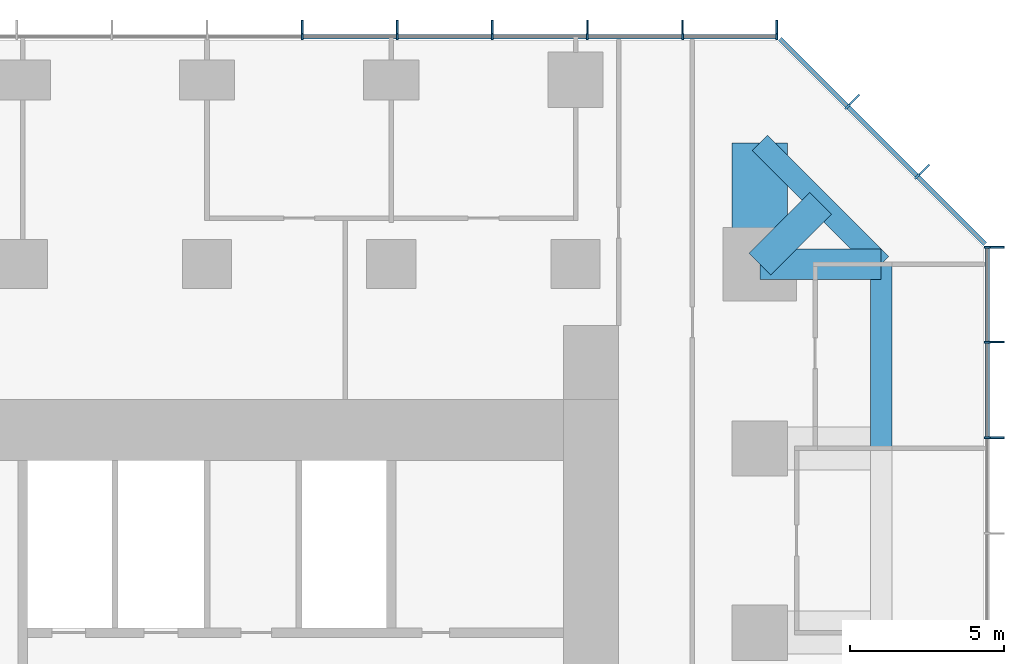
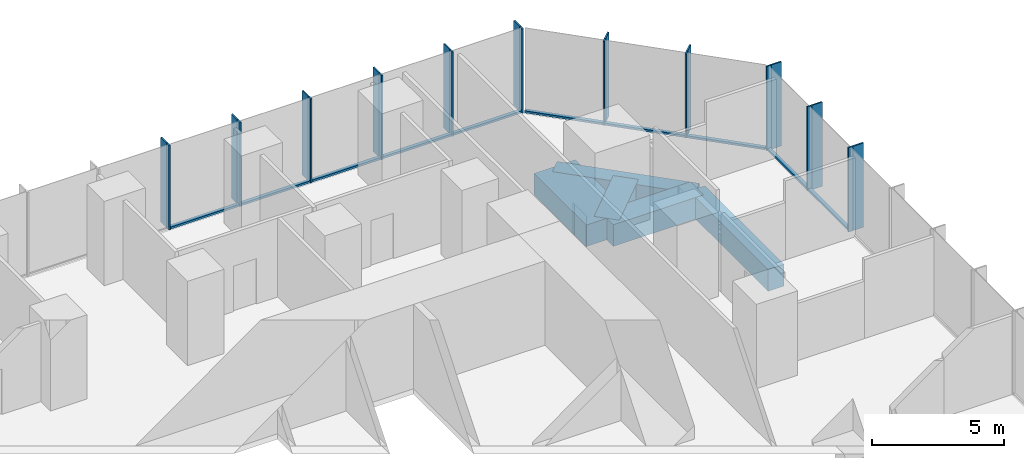
# One storey, part 6 of 11: 32 members, 5 beams, 3 elements without a shape of their own.
"""IFC4 building model written with IfcOpenShell, lengths in metres."""

from ifc_helpers import new_model, si_unit, direction, frame, origin, origin_2d, place, context, subcontext, project, spatial, rectangle, extrude, material, layer, layer_set, material_profile, profile_set, type_object, element, aggregate, save


model = new_model("IFC4")

# Units and contexts
model_context = context("Model", 3, precision=1e-05, world=origin(), true_north=direction((0.0, 1.0)))
body_context = subcontext(model_context, "Body", "Model", "MODEL_VIEW")
ifc_project = project(units=[si_unit("LENGTHUNIT", "METRE"), si_unit("AREAUNIT", "SQUARE_METRE"), si_unit("VOLUMEUNIT", "CUBIC_METRE"), si_unit("PLANEANGLEUNIT", "RADIAN"), si_unit("MASSUNIT", "GRAM", prefix="KILO")], contexts=[model_context])

# Site, building, storey
site_placement = place(None, origin())
site = spatial("IfcSite", under=ifc_project, at=site_placement, CompositionType="ELEMENT")
building_placement = place(site_placement, origin())
building = spatial("IfcBuilding", under=site, at=building_placement, Name="Highveld Stack Headquarters", CompositionType="ELEMENT")
storey_placement = place(building_placement, frame((0.0, 0.0, 140.60009765625)))
storey = spatial("IfcBuildingStorey", under=building, at=storey_placement, Name="L34", CompositionType="ELEMENT", Elevation=140.60009765625)

# Beams
ifc_material_1 = material(Name="Concrete C60/75", Category="concrete")
ifc_material_profile_1 = material_profile(ifc_material_1, rectangle(XDim=1.0, YDim=1.0, at=origin_2d()), Name="RC 1000x1000")
ifc_profile_set_1 = profile_set([ifc_material_profile_1], Name="Concrete C60/75")
beam_type_1 = type_object("IfcBeamType", Name="CANTILEVER RIB RC 1000x1000", PredefinedType="USERDEFINED", material=ifc_profile_set_1)
beam_1_placement = place(storey_placement, frame((24.0, 18.0, -0.75), z_axis=(1.0, 0.0, 0.0), x_axis=(0.0, 1.0, 0.0)))
element("IfcBeam", 1, at=beam_1_placement, inside=storey, type_object=beam_type_1, Name="Cantilever rib 10/H L34", ObjectType="CANTILEVER RIB", PredefinedType="USERDEFINED", context=body_context, shape_type="SweptSolid", body=[
    extrude(rectangle(XDim=1.0, YDim=1.0, at=origin_2d()), origin(), (0.0, 0.0, 1.0), 3.949951171875),
])
beam_2_placement = place(storey_placement, frame((24.0, 18.0, -0.75), z_axis=(0.707106781187, 0.707106781187, 0.0), x_axis=(-0.707106781187, 0.707106781187, 0.0)))
element("IfcBeam", 2, at=beam_2_placement, inside=storey, type_object=beam_type_1, Name="Cantilever rib 10/H L34", ObjectType="CANTILEVER RIB", PredefinedType="USERDEFINED", context=body_context, shape_type="SweptSolid", body=[
    extrude(rectangle(XDim=1.0, YDim=1.0, at=origin_2d()), origin(), (0.0, 0.0, 1.0), 2.793212890625),
])
ifc_material_2 = material(Name="Concrete C60/75", Category="concrete")
ifc_material_profile_2 = material_profile(ifc_material_2, rectangle(XDim=1.800048828125, YDim=1.0, at=origin_2d()), Name="RC 1800x1000")
ifc_profile_set_2 = profile_set([ifc_material_profile_2], Name="Concrete C60/75")
beam_type_2 = type_object("IfcBeamType", Name="CANTILEVER RIB RC 1800x1000", PredefinedType="USERDEFINED", material=ifc_profile_set_2)
beam_3_placement = place(storey_placement, frame((24.0, 18.0, -0.75), z_axis=(0.0, 1.0, 0.0), x_axis=(-1.0, 0.0, 0.0)))
element("IfcBeam", 3, at=beam_3_placement, inside=storey, type_object=beam_type_2, Name="Cantilever rib 10/H L34", ObjectType="CANTILEVER RIB", PredefinedType="USERDEFINED", context=body_context, shape_type="SweptSolid", body=[
    extrude(rectangle(XDim=1.800048828125, YDim=1.0, at=origin_2d()), origin(), (0.0, 0.0, 1.0), 3.949951171875),
])

# Curtain wall, members
ifc_material_3 = material(Name="Aluminium bronze anodised", Category="aluminium")
ifc_layer_1 = layer(ifc_material_3, 0.199951171875)
ifc_layer_set_1 = layer_set([ifc_layer_1], Name="Aluminium bronze anodised")
curtain_wall_type_1 = type_object("IfcCurtainWallType", Name="CW1 TOWER UNITISED CURTAIN WALL", PredefinedType="NOTDEFINED", material=ifc_layer_set_1)
curtain_wall_1_placement = place(storey_placement, origin())
curtain_wall_1 = element("IfcCurtainWall", 4, at=curtain_wall_1_placement, inside=storey, type_object=curtain_wall_type_1, Name="Curtain wall CW1 L34 E", PredefinedType="NOTDEFINED")
ifc_material_4 = material(Name="Aluminium bronze anodised", Category="aluminium")
ifc_material_profile_3 = material_profile(ifc_material_4, rectangle(XDim=0.449951171875, YDim=0.06005859375, at=origin_2d()), Name="FIN 450x60")
ifc_profile_set_3 = profile_set([ifc_material_profile_3], Name="Aluminium bronze anodised")
member_type_1 = type_object("IfcMemberType", Name="CW1 BRONZE FIN 450x60", PredefinedType="USERDEFINED", material=ifc_profile_set_3)
member_1_placement = place(storey_placement, frame((31.72509765625, 12.347900390625, 0.0), z_axis=(0.0, 0.0, 1.0), x_axis=(-1.0, 0.0, 0.0)))
member_1 = element("IfcMember", 5, at=member_1_placement, type_object=member_type_1, Name="CW1 fin L34 9", ObjectType="FIN", PredefinedType="USERDEFINED", context=body_context, shape_type="SweptSolid", body=[
    extrude(rectangle(XDim=0.449951171875, YDim=0.06005859375, at=origin_2d()), origin(), (0.0, 0.0, 1.0), 3.89990234375),
])
member_2_placement = place(storey_placement, frame((31.72509765625, 15.4638671875, 0.0), z_axis=(0.0, 0.0, 1.0), x_axis=(-1.0, 0.0, 0.0)))
member_2 = element("IfcMember", 6, at=member_2_placement, type_object=member_type_1, Name="CW1 fin L34 10", ObjectType="FIN", PredefinedType="USERDEFINED", context=body_context, shape_type="SweptSolid", body=[
    extrude(rectangle(XDim=0.449951171875, YDim=0.06005859375, at=origin_2d()), origin(), (0.0, 0.0, 1.0), 3.89990234375),
])
member_3_placement = place(storey_placement, frame((31.72509765625, 18.54736328125, 0.0), z_axis=(0.0, 0.0, 1.0), x_axis=(-1.0, 0.0, 0.0)))
member_3 = element("IfcMember", 7, at=member_3_placement, type_object=member_type_1, Name="CW1 fin L34 11", ObjectType="FIN", PredefinedType="USERDEFINED", context=body_context, shape_type="SweptSolid", body=[
    extrude(rectangle(XDim=0.449951171875, YDim=0.06005859375, at=origin_2d()), origin(), (0.0, 0.0, 1.0), 3.89990234375),
])

curtain_wall_2_placement = place(storey_placement, origin())
curtain_wall_2 = element("IfcCurtainWall", 8, at=curtain_wall_2_placement, inside=storey, type_object=curtain_wall_type_1, Name="Curtain wall CW1 L34 N", PredefinedType="NOTDEFINED")
member_4_placement = place(storey_placement, frame((24.54736328125, 25.72509765625, 0.0), z_axis=(0.0, 0.0, 1.0), x_axis=(0.0, -1.0, 0.0)))
member_4 = element("IfcMember", 9, at=member_4_placement, type_object=member_type_1, Name="CW1 fin L34 1", ObjectType="FIN", PredefinedType="USERDEFINED", context=body_context, shape_type="SweptSolid", body=[
    extrude(rectangle(XDim=0.449951171875, YDim=0.06005859375, at=origin_2d()), origin(), (0.0, 0.0, 1.0), 3.89990234375),
])
member_5_placement = place(storey_placement, frame((21.483154296875, 25.72509765625, 0.0), z_axis=(0.0, 0.0, 1.0), x_axis=(0.0, -1.0, 0.0)))
member_5 = element("IfcMember", 10, at=member_5_placement, type_object=member_type_1, Name="CW1 fin L34 2", ObjectType="FIN", PredefinedType="USERDEFINED", context=body_context, shape_type="SweptSolid", body=[
    extrude(rectangle(XDim=0.449951171875, YDim=0.06005859375, at=origin_2d()), origin(), (0.0, 0.0, 1.0), 3.89990234375),
])
member_6_placement = place(storey_placement, frame((18.38671875, 25.72509765625, 0.0), z_axis=(0.0, 0.0, 1.0), x_axis=(0.0, -1.0, 0.0)))
member_6 = element("IfcMember", 11, at=member_6_placement, type_object=member_type_1, Name="CW1 fin L34 3", ObjectType="FIN", PredefinedType="USERDEFINED", context=body_context, shape_type="SweptSolid", body=[
    extrude(rectangle(XDim=0.449951171875, YDim=0.06005859375, at=origin_2d()), origin(), (0.0, 0.0, 1.0), 3.89990234375),
])
member_7_placement = place(storey_placement, frame((15.289794921875, 25.72509765625, 0.0), z_axis=(0.0, 0.0, 1.0), x_axis=(0.0, -1.0, 0.0)))
member_7 = element("IfcMember", 12, at=member_7_placement, type_object=member_type_1, Name="CW1 fin L34 4", ObjectType="FIN", PredefinedType="USERDEFINED", context=body_context, shape_type="SweptSolid", body=[
    extrude(rectangle(XDim=0.449951171875, YDim=0.06005859375, at=origin_2d()), origin(), (0.0, 0.0, 1.0), 3.89990234375),
])
member_8_placement = place(storey_placement, frame((12.193359375, 25.72509765625, 0.0), z_axis=(0.0, 0.0, 1.0), x_axis=(0.0, -1.0, 0.0)))
member_8 = element("IfcMember", 13, at=member_8_placement, type_object=member_type_1, Name="CW1 fin L34 5", ObjectType="FIN", PredefinedType="USERDEFINED", context=body_context, shape_type="SweptSolid", body=[
    extrude(rectangle(XDim=0.449951171875, YDim=0.06005859375, at=origin_2d()), origin(), (0.0, 0.0, 1.0), 3.89990234375),
])
member_9_placement = place(storey_placement, frame((9.0966796875, 25.72509765625, 0.0), z_axis=(0.0, 0.0, 1.0), x_axis=(0.0, -1.0, 0.0)))
member_9 = element("IfcMember", 14, at=member_9_placement, type_object=member_type_1, Name="CW1 fin L34 6", ObjectType="FIN", PredefinedType="USERDEFINED", context=body_context, shape_type="SweptSolid", body=[
    extrude(rectangle(XDim=0.449951171875, YDim=0.06005859375, at=origin_2d()), origin(), (0.0, 0.0, 1.0), 3.89990234375),
])

# Member
ifc_material_5 = material(Name="Aluminium bronze anodised", Category="aluminium")
ifc_material_profile_4 = material_profile(ifc_material_5, rectangle(XDim=0.199951171875, YDim=0.06494140625, at=origin_2d()), Name="CW1 MULLION 65x200")
ifc_profile_set_4 = profile_set([ifc_material_profile_4], Name="Aluminium bronze anodised")
member_type_2 = type_object("IfcMemberType", Name="CW1 MULLION 65x200", PredefinedType="MULLION", material=ifc_profile_set_4)
member_10_placement = place(storey_placement, frame((31.39990234375, 12.347900390625, 0.0), z_axis=(0.0, 0.0, 1.0), x_axis=(-1.0, 0.0, 0.0)))
member_10 = element("IfcMember", 15, at=member_10_placement, type_object=member_type_2, Name="CW1 mullion L34 9", PredefinedType="MULLION", context=body_context, shape_type="SweptSolid", body=[
    extrude(rectangle(XDim=0.199951171875, YDim=0.06494140625, at=origin_2d()), origin(), (0.0, 0.0, 1.0), 3.89990234375),
])

member_11_placement = place(storey_placement, frame((31.39990234375, 15.4638671875, 0.0), z_axis=(0.0, 0.0, 1.0), x_axis=(-1.0, 0.0, 0.0)))
member_11 = element("IfcMember", 16, at=member_11_placement, type_object=member_type_2, Name="CW1 mullion L34 10", PredefinedType="MULLION", context=body_context, shape_type="SweptSolid", body=[
    extrude(rectangle(XDim=0.199951171875, YDim=0.06494140625, at=origin_2d()), origin(), (0.0, 0.0, 1.0), 3.89990234375),
])

member_12_placement = place(storey_placement, frame((31.39990234375, 18.54736328125, 0.0), z_axis=(0.0, 0.0, 1.0), x_axis=(-1.0, 0.0, 0.0)))
member_12 = element("IfcMember", 17, at=member_12_placement, type_object=member_type_2, Name="CW1 mullion L34 11", PredefinedType="MULLION", context=body_context, shape_type="SweptSolid", body=[
    extrude(rectangle(XDim=0.199951171875, YDim=0.06494140625, at=origin_2d()), origin(), (0.0, 0.0, 1.0), 3.89990234375),
])

member_13_placement = place(storey_placement, frame((24.54736328125, 25.39990234375, 0.0), z_axis=(0.0, 0.0, 1.0), x_axis=(0.0, -1.0, 0.0)))
member_13 = element("IfcMember", 18, at=member_13_placement, type_object=member_type_2, Name="CW1 mullion L34 1", PredefinedType="MULLION", context=body_context, shape_type="SweptSolid", body=[
    extrude(rectangle(XDim=0.199951171875, YDim=0.06494140625, at=origin_2d()), origin(), (0.0, 0.0, 1.0), 3.89990234375),
])

member_14_placement = place(storey_placement, frame((21.483154296875, 25.39990234375, 0.0), z_axis=(0.0, 0.0, 1.0), x_axis=(0.0, -1.0, 0.0)))
member_14 = element("IfcMember", 19, at=member_14_placement, type_object=member_type_2, Name="CW1 mullion L34 2", PredefinedType="MULLION", context=body_context, shape_type="SweptSolid", body=[
    extrude(rectangle(XDim=0.199951171875, YDim=0.06494140625, at=origin_2d()), origin(), (0.0, 0.0, 1.0), 3.89990234375),
])

member_15_placement = place(storey_placement, frame((18.38671875, 25.39990234375, 0.0), z_axis=(0.0, 0.0, 1.0), x_axis=(0.0, -1.0, 0.0)))
member_15 = element("IfcMember", 20, at=member_15_placement, type_object=member_type_2, Name="CW1 mullion L34 3", PredefinedType="MULLION", context=body_context, shape_type="SweptSolid", body=[
    extrude(rectangle(XDim=0.199951171875, YDim=0.06494140625, at=origin_2d()), origin(), (0.0, 0.0, 1.0), 3.89990234375),
])

member_16_placement = place(storey_placement, frame((15.289794921875, 25.39990234375, 0.0), z_axis=(0.0, 0.0, 1.0), x_axis=(0.0, -1.0, 0.0)))
member_16 = element("IfcMember", 21, at=member_16_placement, type_object=member_type_2, Name="CW1 mullion L34 4", PredefinedType="MULLION", context=body_context, shape_type="SweptSolid", body=[
    extrude(rectangle(XDim=0.199951171875, YDim=0.06494140625, at=origin_2d()), origin(), (0.0, 0.0, 1.0), 3.89990234375),
])

member_17_placement = place(storey_placement, frame((12.193359375, 25.39990234375, 0.0), z_axis=(0.0, 0.0, 1.0), x_axis=(0.0, -1.0, 0.0)))
member_17 = element("IfcMember", 22, at=member_17_placement, type_object=member_type_2, Name="CW1 mullion L34 5", PredefinedType="MULLION", context=body_context, shape_type="SweptSolid", body=[
    extrude(rectangle(XDim=0.199951171875, YDim=0.06494140625, at=origin_2d()), origin(), (0.0, 0.0, 1.0), 3.89990234375),
])

member_18_placement = place(storey_placement, frame((9.0966796875, 25.39990234375, 0.0), z_axis=(0.0, 0.0, 1.0), x_axis=(0.0, -1.0, 0.0)))
member_18 = element("IfcMember", 23, at=member_18_placement, type_object=member_type_2, Name="CW1 mullion L34 6", PredefinedType="MULLION", context=body_context, shape_type="SweptSolid", body=[
    extrude(rectangle(XDim=0.199951171875, YDim=0.06494140625, at=origin_2d()), origin(), (0.0, 0.0, 1.0), 3.89990234375),
])

ifc_material_6 = material(Name="Aluminium bronze anodised", Category="aluminium")
ifc_material_profile_5 = material_profile(ifc_material_6, rectangle(XDim=0.14990234375, YDim=0.10009765625, at=origin_2d()), Name="CW1 TRANSOM 150x100")
ifc_profile_set_5 = profile_set([ifc_material_profile_5], Name="Aluminium bronze anodised")
member_type_3 = type_object("IfcMemberType", Name="CW1 STACK TRANSOM 150x100", PredefinedType="USERDEFINED", material=ifc_profile_set_5)
member_19_placement = place(storey_placement, frame((31.39990234375, 12.38037109375, 0.0498046875), z_axis=(0.0, 1.0, 0.0), x_axis=(-1.0, 0.0, 0.0)))
member_19 = element("IfcMember", 24, at=member_19_placement, type_object=member_type_3, Name="CW1 transom L34 9.1", ObjectType="TRANSOM", PredefinedType="USERDEFINED", context=body_context, shape_type="SweptSolid", body=[
    extrude(rectangle(XDim=0.14990234375, YDim=0.10009765625, at=origin_2d()), origin(), (0.0, 0.0, 1.0), 3.051025390625),
])

member_20_placement = place(storey_placement, frame((31.39990234375, 15.496337890625, 0.0498046875), z_axis=(0.0, 1.0, 0.0), x_axis=(-1.0, 0.0, 0.0)))
member_20 = element("IfcMember", 25, at=member_20_placement, type_object=member_type_3, Name="CW1 transom L34 10.1", ObjectType="TRANSOM", PredefinedType="USERDEFINED", context=body_context, shape_type="SweptSolid", body=[
    extrude(rectangle(XDim=0.14990234375, YDim=0.10009765625, at=origin_2d()), origin(), (0.0, 0.0, 1.0), 3.0185546875),
])

aggregate(curtain_wall_1, [member_10, member_1, member_11, member_2, member_12, member_3, member_19, member_20])

member_21_placement = place(storey_placement, frame((24.514892578125, 25.39990234375, 0.0498046875), z_axis=(-1.0, 0.0, 0.0), x_axis=(0.0, -1.0, 0.0)))
member_21 = element("IfcMember", 26, at=member_21_placement, type_object=member_type_3, Name="CW1 transom L34 1.1", ObjectType="TRANSOM", PredefinedType="USERDEFINED", context=body_context, shape_type="SweptSolid", body=[
    extrude(rectangle(XDim=0.14990234375, YDim=0.10009765625, at=origin_2d()), origin(), (0.0, 0.0, 1.0), 2.999267578125),
])

member_22_placement = place(storey_placement, frame((21.45068359375, 25.39990234375, 0.0498046875), z_axis=(-1.0, 0.0, 0.0), x_axis=(0.0, -1.0, 0.0)))
member_22 = element("IfcMember", 27, at=member_22_placement, type_object=member_type_3, Name="CW1 transom L34 2.1", ObjectType="TRANSOM", PredefinedType="USERDEFINED", context=body_context, shape_type="SweptSolid", body=[
    extrude(rectangle(XDim=0.14990234375, YDim=0.10009765625, at=origin_2d()), origin(), (0.0, 0.0, 1.0), 3.031494140625),
])

member_23_placement = place(storey_placement, frame((18.35400390625, 25.39990234375, 0.0498046875), z_axis=(-1.0, 0.0, 0.0), x_axis=(0.0, -1.0, 0.0)))
member_23 = element("IfcMember", 28, at=member_23_placement, type_object=member_type_3, Name="CW1 transom L34 3.1", ObjectType="TRANSOM", PredefinedType="USERDEFINED", context=body_context, shape_type="SweptSolid", body=[
    extrude(rectangle(XDim=0.14990234375, YDim=0.10009765625, at=origin_2d()), origin(), (0.0, 0.0, 1.0), 3.031494140625),
])

member_24_placement = place(storey_placement, frame((15.25732421875, 25.39990234375, 0.0498046875), z_axis=(-1.0, 0.0, 0.0), x_axis=(0.0, -1.0, 0.0)))
member_24 = element("IfcMember", 29, at=member_24_placement, type_object=member_type_3, Name="CW1 transom L34 4.1", ObjectType="TRANSOM", PredefinedType="USERDEFINED", context=body_context, shape_type="SweptSolid", body=[
    extrude(rectangle(XDim=0.14990234375, YDim=0.10009765625, at=origin_2d()), origin(), (0.0, 0.0, 1.0), 3.031494140625),
])

member_25_placement = place(storey_placement, frame((12.160888671875, 25.39990234375, 0.0498046875), z_axis=(-1.0, 0.0, 0.0), x_axis=(0.0, -1.0, 0.0)))
member_25 = element("IfcMember", 30, at=member_25_placement, type_object=member_type_3, Name="CW1 transom L34 5.1", ObjectType="TRANSOM", PredefinedType="USERDEFINED", context=body_context, shape_type="SweptSolid", body=[
    extrude(rectangle(XDim=0.14990234375, YDim=0.10009765625, at=origin_2d()), origin(), (0.0, 0.0, 1.0), 3.03173828125),
])

aggregate(curtain_wall_2, [member_13, member_4, member_14, member_5, member_15, member_6, member_16, member_7, member_17, member_8, member_18, member_9, member_21, member_22, member_23, member_24, member_25])

# Curtain wall, members
ifc_material_7 = material(Name="Aluminium bronze anodised", Category="aluminium")
ifc_layer_2 = layer(ifc_material_7, 0.199951171875)
ifc_layer_set_2 = layer_set([ifc_layer_2], Name="Aluminium bronze anodised")
curtain_wall_type_2 = type_object("IfcCurtainWallType", Name="CW2 TOWER CHAMFER UNITISED CURTAIN WALL", PredefinedType="NOTDEFINED", material=ifc_layer_set_2)
curtain_wall_3_placement = place(storey_placement, origin())
curtain_wall_3 = element("IfcCurtainWall", 31, at=curtain_wall_3_placement, inside=storey, type_object=curtain_wall_type_2, Name="Curtain wall CW2 L34 NE", PredefinedType="NOTDEFINED")
ifc_material_8 = material(Name="Aluminium bronze anodised", Category="aluminium")
ifc_material_profile_6 = material_profile(ifc_material_8, rectangle(XDim=0.449951171875, YDim=0.06005859375, at=origin_2d()), Name="FIN 450x60")
ifc_profile_set_6 = profile_set([ifc_material_profile_6], Name="Aluminium bronze anodised")
member_type_4 = type_object("IfcMemberType", Name="CW2 BRONZE FIN 450x60", PredefinedType="USERDEFINED", material=ifc_profile_set_6)
member_26_placement = place(storey_placement, frame((29.3564453125, 21.0830078125, 0.0), z_axis=(0.0, 0.0, 1.0), x_axis=(-0.707106781187, -0.707106781187, 0.0)))
member_26 = element("IfcMember", 32, at=member_26_placement, type_object=member_type_4, Name="CW2 fin L34 1", ObjectType="FIN", PredefinedType="USERDEFINED", context=body_context, shape_type="SweptSolid", body=[
    extrude(rectangle(XDim=0.449951171875, YDim=0.06005859375, at=origin_2d()), origin(), (0.0, 0.0, 1.0), 3.89990234375),
])
member_27_placement = place(storey_placement, frame((27.0830078125, 23.3564453125, 0.0), z_axis=(0.0, 0.0, 1.0), x_axis=(-0.707106781187, -0.707106781187, 0.0)))
member_27 = element("IfcMember", 33, at=member_27_placement, type_object=member_type_4, Name="CW2 fin L34 2", ObjectType="FIN", PredefinedType="USERDEFINED", context=body_context, shape_type="SweptSolid", body=[
    extrude(rectangle(XDim=0.449951171875, YDim=0.06005859375, at=origin_2d()), origin(), (0.0, 0.0, 1.0), 3.89990234375),
])
ifc_material_9 = material(Name="Aluminium bronze anodised", Category="aluminium")
ifc_material_profile_7 = material_profile(ifc_material_9, rectangle(XDim=0.199951171875, YDim=0.06494140625, at=origin_2d()), Name="CW2 MULLION 65x200")
ifc_profile_set_7 = profile_set([ifc_material_profile_7], Name="Aluminium bronze anodised")
member_type_5 = type_object("IfcMemberType", Name="CW2 MULLION 65x200", PredefinedType="MULLION", material=ifc_profile_set_7)
member_28_placement = place(storey_placement, frame((29.126708984375, 20.853271484375, 0.0), z_axis=(0.0, 0.0, 1.0), x_axis=(-0.707106781187, -0.707106781187, 0.0)))
member_28 = element("IfcMember", 34, at=member_28_placement, type_object=member_type_5, Name="CW2 mullion L34 1", PredefinedType="MULLION", context=body_context, shape_type="SweptSolid", body=[
    extrude(rectangle(XDim=0.199951171875, YDim=0.06494140625, at=origin_2d()), origin(), (0.0, 0.0, 1.0), 3.89990234375),
])
member_29_placement = place(storey_placement, frame((26.853271484375, 23.126708984375, 0.0), z_axis=(0.0, 0.0, 1.0), x_axis=(-0.707106781187, -0.707106781187, 0.0)))
member_29 = element("IfcMember", 35, at=member_29_placement, type_object=member_type_5, Name="CW2 mullion L34 2", PredefinedType="MULLION", context=body_context, shape_type="SweptSolid", body=[
    extrude(rectangle(XDim=0.199951171875, YDim=0.06494140625, at=origin_2d()), origin(), (0.0, 0.0, 1.0), 3.89990234375),
])
ifc_material_10 = material(Name="Aluminium bronze anodised", Category="aluminium")
ifc_material_profile_8 = material_profile(ifc_material_10, rectangle(XDim=0.14990234375, YDim=0.10009765625, at=origin_2d()), Name="CW2 TRANSOM 150x100")
ifc_profile_set_8 = profile_set([ifc_material_profile_8], Name="Aluminium bronze anodised")
member_type_6 = type_object("IfcMemberType", Name="CW2 STACK TRANSOM 150x100", PredefinedType="USERDEFINED", material=ifc_profile_set_8)
member_30_placement = place(storey_placement, frame((31.329345703125, 18.650634765625, 0.0498046875), z_axis=(-0.707106781187, 0.707106781187, 0.0), x_axis=(-0.707106781187, -0.707106781187, 0.0)))
member_30 = element("IfcMember", 36, at=member_30_placement, type_object=member_type_6, Name="CW2 transom L34 1.1", ObjectType="TRANSOM", PredefinedType="USERDEFINED", context=body_context, shape_type="SweptSolid", body=[
    extrude(rectangle(XDim=0.14990234375, YDim=0.10009765625, at=origin_2d()), origin(), (0.0, 0.0, 1.0), 3.08251953125),
])
member_31_placement = place(storey_placement, frame((29.103759765625, 20.876220703125, 0.0498046875), z_axis=(-0.707106781187, 0.707106781187, 0.0), x_axis=(-0.707106781187, -0.707106781187, 0.0)))
member_31 = element("IfcMember", 37, at=member_31_placement, type_object=member_type_6, Name="CW2 transom L34 2.1", ObjectType="TRANSOM", PredefinedType="USERDEFINED", context=body_context, shape_type="SweptSolid", body=[
    extrude(rectangle(XDim=0.14990234375, YDim=0.10009765625, at=origin_2d()), origin(), (0.0, 0.0, 1.0), 3.150146484375),
])
member_32_placement = place(storey_placement, frame((26.830322265625, 23.149658203125, 0.0498046875), z_axis=(-0.707106781187, 0.707106781187, 0.0), x_axis=(-0.707106781187, -0.707106781187, 0.0)))
member_32 = element("IfcMember", 38, at=member_32_placement, type_object=member_type_6, Name="CW2 transom L34 3.1", ObjectType="TRANSOM", PredefinedType="USERDEFINED", context=body_context, shape_type="SweptSolid", body=[
    extrude(rectangle(XDim=0.14990234375, YDim=0.10009765625, at=origin_2d()), origin(), (0.0, 0.0, 1.0), 3.08251953125),
])
aggregate(curtain_wall_3, [member_28, member_26, member_29, member_27, member_30, member_31, member_32])

# Beams
ifc_material_11 = material(Name="Concrete C60/75", Category="concrete")
ifc_material_profile_9 = material_profile(ifc_material_11, rectangle(XDim=0.699951171875, YDim=1.0, at=origin_2d()), Name="RC 700x1000")
ifc_profile_set_9 = profile_set([ifc_material_profile_9], Name="Concrete C60/75")
beam_type_3 = type_object("IfcBeamType", Name="RIB TIP BEAM RC 700x1000", PredefinedType="SPANDREL", material=ifc_profile_set_9)
beam_4_placement = place(storey_placement, frame((27.949951171875, 12.0, -0.75), z_axis=(0.0, 1.0, 0.0), x_axis=(-1.0, 0.0, 0.0)))
element("IfcBeam", 39, at=beam_4_placement, inside=storey, type_object=beam_type_3, Name="Rib tip beam 10/G to 10/H L34", PredefinedType="SPANDREL", context=body_context, shape_type="SweptSolid", body=[
    extrude(rectangle(XDim=0.699951171875, YDim=1.0, at=origin_2d()), origin(), (0.0, 0.0, 1.0), 6.0),
])
beam_5_placement = place(storey_placement, frame((27.949951171875, 18.0, -0.75), z_axis=(-0.707106781187, 0.707106781187, 0.0), x_axis=(-0.707106781187, -0.707106781187, 0.0)))
element("IfcBeam", 40, at=beam_5_placement, inside=storey, type_object=beam_type_3, Name="Rib tip beam 10/H corner L34", PredefinedType="SPANDREL", context=body_context, shape_type="SweptSolid", body=[
    extrude(rectangle(XDim=0.699951171875, YDim=1.0, at=origin_2d()), origin(), (0.0, 0.0, 1.0), 5.586181640625),
])

save(model, "model.ifc")
